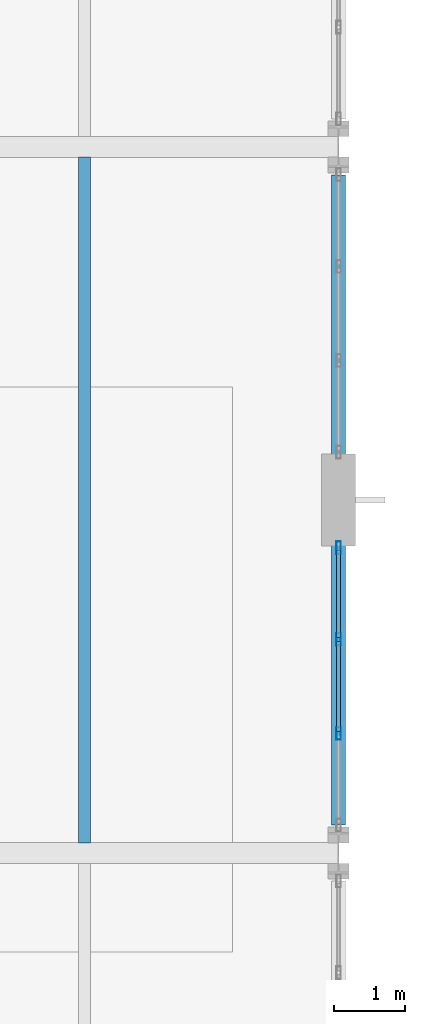
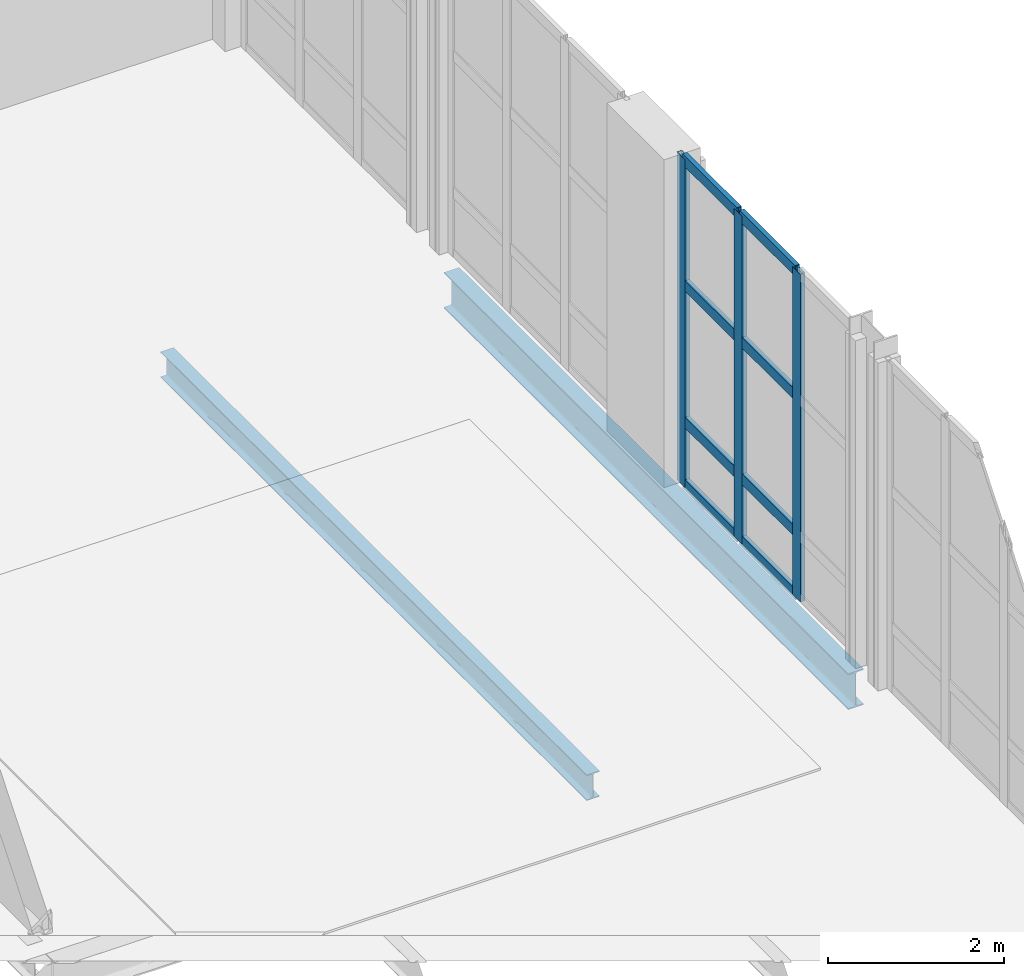
# One storey, part 19 of 92: 11 members, 2 beams, 1 element without a shape of its own.
"""IFC4 building model written with IfcOpenShell, lengths in metres."""

from ifc_helpers import new_model, si_unit, direction, frame, origin, origin_2d, place, context, subcontext, project, spatial, hollow_rectangle, i_section, extrude, material, layer, layer_set, material_profile, profile_set, type_object, element, aggregate, save


model = new_model("IFC4")

# Units and contexts
model_context = context("Model", 3, precision=1e-05, world=origin(), true_north=direction((0.0, 1.0)))
body_context = subcontext(model_context, "Body", "Model", "MODEL_VIEW")
ifc_project = project(units=[si_unit("LENGTHUNIT", "METRE"), si_unit("AREAUNIT", "SQUARE_METRE"), si_unit("VOLUMEUNIT", "CUBIC_METRE"), si_unit("PLANEANGLEUNIT", "RADIAN"), si_unit("MASSUNIT", "GRAM", prefix="KILO")], contexts=[model_context])

# Site, building, storey
site_placement = place(None, origin())
site = spatial("IfcSite", under=ifc_project, at=site_placement, CompositionType="ELEMENT")
building_placement = place(site_placement, origin())
building = spatial("IfcBuilding", under=site, at=building_placement, Name="Tasgan Crest Museum", CompositionType="ELEMENT")
storey_placement = place(building_placement, frame((0.0, 0.0, 4.800048828125)))
storey = spatial("IfcBuildingStorey", under=building, at=storey_placement, Name="L01", CompositionType="ELEMENT", Elevation=4.800048828125)

# Beams
ifc_material_1 = material(Name="Steel S355J2", Category="steel")
ifc_material_profile_1 = material_profile(ifc_material_1, i_section(OverallWidth=0.199951171875, OverallDepth=0.5, WebThickness=0.01025390625, FlangeThickness=0.01611328125, FilletRadius=0.02099609375, at=origin_2d()), Name="IPE 500")
ifc_profile_set_1 = profile_set([ifc_material_profile_1], Name="Steel S355J2")
beam_type_1 = type_object("IfcBeamType", Name="BM-G-IPE500", PredefinedType="BEAM", material=ifc_profile_set_1)
beam_1_placement = place(storey_placement, frame((54.0, 10.39501953125, -0.489990234375), z_axis=(0.0, 1.0, 0.0), x_axis=(-1.0, 0.0, 0.0)))
element("IfcBeam", 1, at=beam_1_placement, inside=storey, type_object=beam_type_1, Name="Beam L01 6 10.0-20.0", PredefinedType="BEAM", context=body_context, shape_type="SweptSolid", body=[
    extrude(i_section(OverallWidth=0.199951171875, OverallDepth=0.5, WebThickness=0.01025390625, FlangeThickness=0.01611328125, FilletRadius=0.02099609375, at=origin_2d()), origin(), (0.0, 0.0, 1.0), 9.2099609375),
])
ifc_material_2 = material(Name="Steel S355J2", Category="steel")
ifc_material_profile_2 = material_profile(ifc_material_2, i_section(OverallWidth=0.169921875, OverallDepth=0.360107421875, WebThickness=0.008056640625, FlangeThickness=0.0126953125, FilletRadius=0.01806640625, at=origin_2d()), Name="IPE 360")
ifc_profile_set_2 = profile_set([ifc_material_profile_2], Name="Steel S355J2")
beam_type_2 = type_object("IfcBeamType", Name="BM-J-IPE360", PredefinedType="JOIST", material=ifc_profile_set_2)
beam_2_placement = place(storey_placement, frame((50.39990234375, 10.14501953125, -0.420166015625), z_axis=(0.0, 1.0, 0.0), x_axis=(-1.0, 0.0, 0.0)))
element("IfcBeam", 2, at=beam_2_placement, inside=storey, type_object=beam_type_2, Name="Secondary joist L01 X=50.4 Y=10.0-20.0", PredefinedType="JOIST", context=body_context, shape_type="SweptSolid", body=[
    extrude(i_section(OverallWidth=0.169921875, OverallDepth=0.360107421875, WebThickness=0.008056640625, FlangeThickness=0.0126953125, FilletRadius=0.01806640625, at=origin_2d()), origin(), (0.0, 0.0, 1.0), 9.7099609375),
])

# Curtain wall, members
ifc_material_3 = material(Name="Triple-Glazed Aluminium Curtain Wall", Category="aluminium")
ifc_layer = layer(ifc_material_3, 0.179931640625, Name="CW-PORCH-Y")
ifc_layer_set = layer_set([ifc_layer], Name="Triple-Glazed Aluminium Curtain Wall")
curtain_wall_type = type_object("IfcCurtainWallType", Name="CW-PORCH-Y", PredefinedType="NOTDEFINED", material=ifc_layer_set)
curtain_wall_placement = place(storey_placement, origin())
curtain_wall = element("IfcCurtainWall", 3, at=curtain_wall_placement, inside=storey, type_object=curtain_wall_type, Name="Curtain wall L01 021", PredefinedType="NOTDEFINED")
ifc_material_4 = material(Name="Anodised Aluminium", Category="aluminium")
ifc_material_profile_3 = material_profile(ifc_material_4, hollow_rectangle(XDim=0.06494140625, YDim=0.179931640625, WallThickness=0.0048828125, at=origin_2d()), Name="ALU MULLION 180x65x5")
ifc_profile_set_3 = profile_set([ifc_material_profile_3], Name="Anodised Aluminium")
member_type_1 = type_object("IfcMemberType", Name="CW-MULLION-180", PredefinedType="MULLION", material=ifc_profile_set_3)
member_1_placement = place(storey_placement, frame((54.0, 11.695068359375, 0.0), z_axis=(0.0, 0.0, 1.0), x_axis=(-1.0, 0.0, 0.0)))
member_1 = element("IfcMember", 4, at=member_1_placement, type_object=member_type_1, Name="CW02 mullion 2", PredefinedType="MULLION", context=body_context, shape_type="SweptSolid", body=[
    extrude(hollow_rectangle(XDim=0.06494140625, YDim=0.179931640625, WallThickness=0.0048828125, at=origin_2d()), origin(), (0.0, 0.0, 1.0), 4.56005859375),
])
member_2_placement = place(storey_placement, frame((54.0, 13.02490234375, 0.0), z_axis=(0.0, 0.0, 1.0), x_axis=(-1.0, 0.0, 0.0)))
member_2 = element("IfcMember", 5, at=member_2_placement, type_object=member_type_1, Name="CW02 mullion 3", PredefinedType="MULLION", context=body_context, shape_type="SweptSolid", body=[
    extrude(hollow_rectangle(XDim=0.06494140625, YDim=0.179931640625, WallThickness=0.0048828125, at=origin_2d()), origin(), (0.0, 0.0, 1.0), 4.56005859375),
])
member_3_placement = place(storey_placement, frame((54.0, 14.324951171875, 0.0), z_axis=(0.0, 0.0, 1.0), x_axis=(-1.0, 0.0, 0.0)))
member_3 = element("IfcMember", 6, at=member_3_placement, type_object=member_type_1, Name="CW02 mullion 4", PredefinedType="MULLION", context=body_context, shape_type="SweptSolid", body=[
    extrude(hollow_rectangle(XDim=0.06494140625, YDim=0.179931640625, WallThickness=0.0048828125, at=origin_2d()), origin(), (0.0, 0.0, 1.0), 4.56005859375),
])
ifc_material_5 = material(Name="Anodised Aluminium", Category="aluminium")
ifc_material_profile_4 = material_profile(ifc_material_5, hollow_rectangle(XDim=0.06005859375, YDim=0.14990234375, WallThickness=0.0048828125, at=origin_2d()), Name="ALU TRANSOM 150x60x5")
ifc_profile_set_4 = profile_set([ifc_material_profile_4], Name="Anodised Aluminium")
member_type_2 = type_object("IfcMemberType", Name="CW-TRANSOM-150", PredefinedType="USERDEFINED", material=ifc_profile_set_4)
member_4_placement = place(storey_placement, frame((54.0, 11.72509765625, 0.030029296875), z_axis=(0.0, 1.0, 0.0), x_axis=(-1.0, 0.0, 0.0)))
member_4 = element("IfcMember", 7, at=member_4_placement, type_object=member_type_2, Name="CW02 transom 2.1", ObjectType="TRANSOM", PredefinedType="USERDEFINED", context=body_context, shape_type="SweptSolid", body=[
    extrude(hollow_rectangle(XDim=0.06005859375, YDim=0.14990234375, WallThickness=0.0048828125, at=origin_2d()), origin(), (0.0, 0.0, 1.0), 1.27001953125),
])
member_5_placement = place(storey_placement, frame((54.0, 11.72509765625, 0.89990234375), z_axis=(0.0, 1.0, 0.0), x_axis=(-1.0, 0.0, 0.0)))
member_5 = element("IfcMember", 8, at=member_5_placement, type_object=member_type_2, Name="CW02 transom 2.2", ObjectType="TRANSOM", PredefinedType="USERDEFINED", context=body_context, shape_type="SweptSolid", body=[
    extrude(hollow_rectangle(XDim=0.06005859375, YDim=0.14990234375, WallThickness=0.0048828125, at=origin_2d()), origin(), (0.0, 0.0, 1.0), 1.27001953125),
])
member_6_placement = place(storey_placement, frame((54.0, 11.72509765625, 2.800048828125), z_axis=(0.0, 1.0, 0.0), x_axis=(-1.0, 0.0, 0.0)))
member_6 = element("IfcMember", 9, at=member_6_placement, type_object=member_type_2, Name="CW02 transom 2.3", ObjectType="TRANSOM", PredefinedType="USERDEFINED", context=body_context, shape_type="SweptSolid", body=[
    extrude(hollow_rectangle(XDim=0.06005859375, YDim=0.14990234375, WallThickness=0.0048828125, at=origin_2d()), origin(), (0.0, 0.0, 1.0), 1.27001953125),
])
member_7_placement = place(storey_placement, frame((54.0, 11.72509765625, 4.530029296875), z_axis=(0.0, 1.0, 0.0), x_axis=(-1.0, 0.0, 0.0)))
member_7 = element("IfcMember", 10, at=member_7_placement, type_object=member_type_2, Name="CW02 transom 2.4", ObjectType="TRANSOM", PredefinedType="USERDEFINED", context=body_context, shape_type="SweptSolid", body=[
    extrude(hollow_rectangle(XDim=0.06005859375, YDim=0.14990234375, WallThickness=0.0048828125, at=origin_2d()), origin(), (0.0, 0.0, 1.0), 1.27001953125),
])
member_8_placement = place(storey_placement, frame((54.0, 13.054931640625, 0.030029296875), z_axis=(0.0, 1.0, 0.0), x_axis=(-1.0, 0.0, 0.0)))
member_8 = element("IfcMember", 11, at=member_8_placement, type_object=member_type_2, Name="CW02 transom 3.1", ObjectType="TRANSOM", PredefinedType="USERDEFINED", context=body_context, shape_type="SweptSolid", body=[
    extrude(hollow_rectangle(XDim=0.06005859375, YDim=0.14990234375, WallThickness=0.0048828125, at=origin_2d()), origin(), (0.0, 0.0, 1.0), 1.239990234375),
])
member_9_placement = place(storey_placement, frame((54.0, 13.054931640625, 0.89990234375), z_axis=(0.0, 1.0, 0.0), x_axis=(-1.0, 0.0, 0.0)))
member_9 = element("IfcMember", 12, at=member_9_placement, type_object=member_type_2, Name="CW02 transom 3.2", ObjectType="TRANSOM", PredefinedType="USERDEFINED", context=body_context, shape_type="SweptSolid", body=[
    extrude(hollow_rectangle(XDim=0.06005859375, YDim=0.14990234375, WallThickness=0.0048828125, at=origin_2d()), origin(), (0.0, 0.0, 1.0), 1.239990234375),
])
member_10_placement = place(storey_placement, frame((54.0, 13.054931640625, 2.800048828125), z_axis=(0.0, 1.0, 0.0), x_axis=(-1.0, 0.0, 0.0)))
member_10 = element("IfcMember", 13, at=member_10_placement, type_object=member_type_2, Name="CW02 transom 3.3", ObjectType="TRANSOM", PredefinedType="USERDEFINED", context=body_context, shape_type="SweptSolid", body=[
    extrude(hollow_rectangle(XDim=0.06005859375, YDim=0.14990234375, WallThickness=0.0048828125, at=origin_2d()), origin(), (0.0, 0.0, 1.0), 1.239990234375),
])
member_11_placement = place(storey_placement, frame((54.0, 13.054931640625, 4.530029296875), z_axis=(0.0, 1.0, 0.0), x_axis=(-1.0, 0.0, 0.0)))
member_11 = element("IfcMember", 14, at=member_11_placement, type_object=member_type_2, Name="CW02 transom 3.4", ObjectType="TRANSOM", PredefinedType="USERDEFINED", context=body_context, shape_type="SweptSolid", body=[
    extrude(hollow_rectangle(XDim=0.06005859375, YDim=0.14990234375, WallThickness=0.0048828125, at=origin_2d()), origin(), (0.0, 0.0, 1.0), 1.239990234375),
])
aggregate(curtain_wall, [member_1, member_2, member_3, member_4, member_5, member_6, member_7, member_8, member_9, member_10, member_11])

save(model, "model.ifc")
